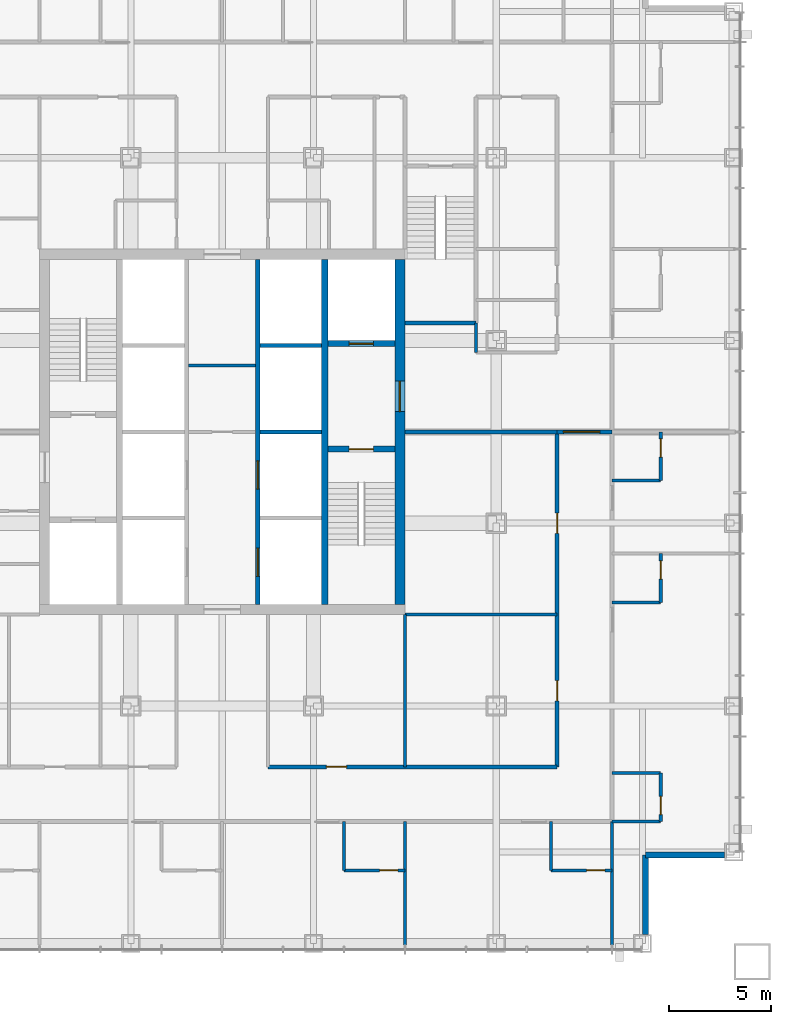
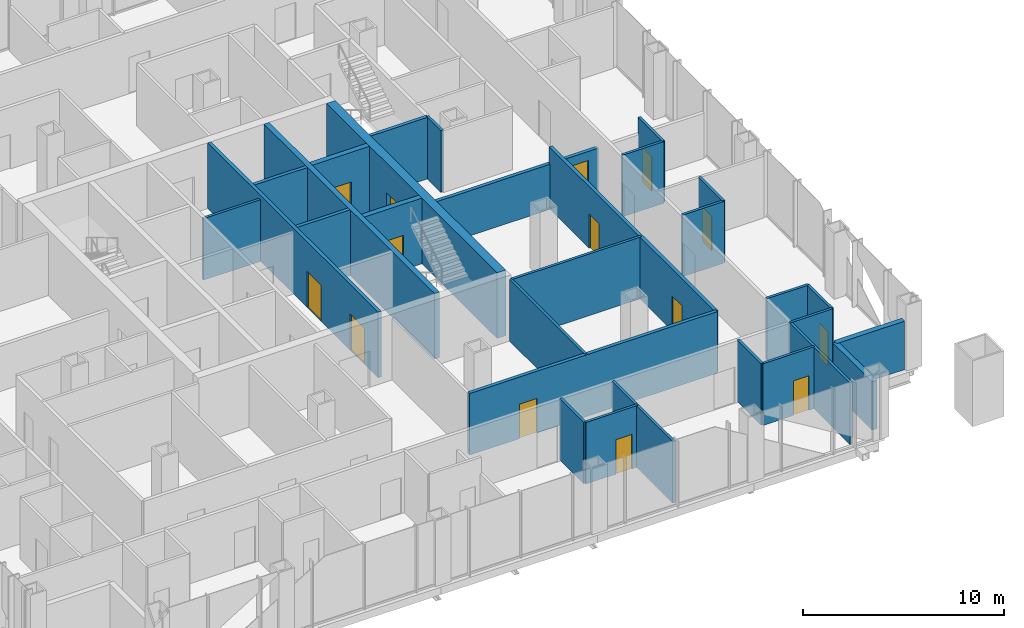
# One storey, part 9 of 13: 31 walls, 14 doors, 14 openings.
"""IFC4 building model written with IfcOpenShell, lengths in metres."""

from ifc_helpers import new_model, si_unit, direction, frame, frame_2d, origin, place, context, subcontext, project, spatial, rectangle, extrude, material, layer, layer_set, type_object, element, fill, save


model = new_model("IFC4")

# Units and contexts
model_context = context("Model", 3, precision=1e-05, world=origin(), true_north=direction((0.0, 1.0)))
body_context = subcontext(model_context, "Body", "Model", "MODEL_VIEW")
ifc_project = project(units=[si_unit("LENGTHUNIT", "METRE"), si_unit("AREAUNIT", "SQUARE_METRE"), si_unit("VOLUMEUNIT", "CUBIC_METRE"), si_unit("PLANEANGLEUNIT", "RADIAN"), si_unit("MASSUNIT", "GRAM", prefix="KILO")], contexts=[model_context])

# Site, building, storey
site_placement = place(None, origin())
site = spatial("IfcSite", under=ifc_project, at=site_placement, CompositionType="ELEMENT")
building_placement = place(site_placement, origin())
building = spatial("IfcBuilding", under=site, at=building_placement, Name="Malebo Sky Hospital", CompositionType="ELEMENT")
storey_placement = place(building_placement, frame((0.0, 0.0, 67.0)))
storey = spatial("IfcBuildingStorey", under=building, at=storey_placement, Name="L15", CompositionType="ELEMENT", Elevation=67.0)

# Wall, openings, doors
ifc_material_1 = material(Name="Concrete C80/95", Category="concrete")
ifc_layer_1 = layer(ifc_material_1, 0.199951171875)
ifc_layer_set_1 = layer_set([ifc_layer_1], Name="CORE INNER WALL 200")
wall_type_1 = type_object("IfcWallType", Name="CORE INNER WALL 200", PredefinedType="SHEAR", material=ifc_layer_set_1)
wall_1_placement = place(storey_placement, frame((61.75, 53.5, 0.0), z_axis=(0.0, 0.0, 1.0), x_axis=(0.0, 1.0, 0.0)))
wall_1 = element("IfcWall", 1, at=wall_1_placement, inside=storey, type_object=wall_type_1, Name="Core wall LE L15", PredefinedType="SHEAR", context=body_context, shape_type="SweptSolid", body=[
    extrude(rectangle(XDim=17.0, YDim=0.199951171875, at=frame_2d((8.5, 0.0))), origin(), (0.0, 0.0, 1.0), 4.0),
])
opening_1_placement = place(wall_1_placement, frame((1.375, 0.0, 0.0)))
opening_1 = element("IfcOpeningElement", 2, at=opening_1_placement, cuts=wall_1, Name="Opening LD1", PredefinedType="OPENING", context=body_context, shape_type="SweptSolid", body=[
    extrude(rectangle(XDim=1.39990234375, YDim=2.199951171875, at=frame_2d((0.699951171875, 1.10009765625))), frame((0.0, 0.10986328125, 0.0), z_axis=(0.0, -1.0, 0.0), x_axis=(1.0, 0.0, 0.0)), (0.0, 0.0, 1.0), 0.219970703125),
])
opening_2_placement = place(wall_1_placement, frame((5.675048828125, 0.0, 0.0)))
opening_2 = element("IfcOpeningElement", 3, at=opening_2_placement, cuts=wall_1, Name="Opening LD1", PredefinedType="OPENING", context=body_context, shape_type="SweptSolid", body=[
    extrude(rectangle(XDim=1.39990234375, YDim=2.199951171875, at=frame_2d((0.699951171875, 1.10009765625))), frame((0.0, 0.10986328125, 0.0), z_axis=(0.0, -1.0, 0.0), x_axis=(1.0, 0.0, 0.0)), (0.0, 0.0, 1.0), 0.219970703125),
])
ifc_material_2 = material(Name="Stainless steel sliding landing door", Category="steel")
door_type_1 = type_object("IfcDoorType", Name="LIFT LANDING DOOR 1400", OperationType="SLIDING_TO_LEFT", PredefinedType="DOOR", material=ifc_material_2)
door_1_placement = place(opening_1_placement, origin())
door_1 = element("IfcDoor", 4, at=door_1_placement, inside=storey, type_object=door_type_1, Name="Lift E1 landing door", OperationType="SLIDING_TO_LEFT", OverallHeight=2.199951171875, OverallWidth=1.39990234375, PredefinedType="DOOR", context=body_context, shape_type="SweptSolid", body=[
    extrude(rectangle(XDim=1.39990234375, YDim=2.199951171875, at=frame_2d((0.699951171875, 1.10009765625))), frame((0.0, 0.02490234375, 0.0), z_axis=(0.0, -1.0, 0.0), x_axis=(1.0, 0.0, 0.0)), (0.0, 0.0, 1.0), 0.050048828125),
])
fill(opening_1, door_1)
door_2_placement = place(opening_2_placement, origin())
door_2 = element("IfcDoor", 5, at=door_2_placement, inside=storey, type_object=door_type_1, Name="Lift E2 landing door", OperationType="SLIDING_TO_LEFT", OverallHeight=2.199951171875, OverallWidth=1.39990234375, PredefinedType="DOOR", context=body_context, shape_type="SweptSolid", body=[
    extrude(rectangle(XDim=1.39990234375, YDim=2.199951171875, at=frame_2d((0.699951171875, 1.10009765625))), frame((0.0, 0.02490234375, 0.0), z_axis=(0.0, -1.0, 0.0), x_axis=(1.0, 0.0, 0.0)), (0.0, 0.0, 1.0), 0.050048828125),
])
fill(opening_2, door_2)

# Walls
for number, where, z_axis, x_axis, name in (
    (6, (61.85009765625, 62.0, 0.0), (0.0, 0.0, 1.0), (1.0, 0.0, 0.0), "Core wall SE1 L15"),
    (7, (61.85009765625, 66.25, 0.0), (0.0, 0.0, 1.0), (1.0, 0.0, 0.0), "Core wall SE2 L15"),
):
    element("IfcWall", number, at=place(storey_placement, frame(where, z_axis=z_axis, x_axis=x_axis)), inside=storey, type_object=wall_type_1, Name=name, PredefinedType="SHEAR", context=body_context, shape_type="SweptSolid", body=[
        extrude(rectangle(XDim=3.0498046875, YDim=0.199951171875, at=frame_2d((1.52490234375, 0.0))), origin(), (0.0, 0.0, 1.0), 4.0),
    ])
ifc_layer_2 = layer(ifc_material_1, 0.300048828125)
ifc_layer_set_2 = layer_set([ifc_layer_2], Name="CORE INNER WALL 300")
wall_type_2 = type_object("IfcWallType", Name="CORE INNER WALL 300", PredefinedType="SHEAR", material=ifc_layer_set_2)
wall_2_placement = place(storey_placement, frame((65.050048828125, 53.5, 0.0), z_axis=(0.0, 0.0, 1.0), x_axis=(0.0, 1.0, 0.0)))
element("IfcWall", 8, at=wall_2_placement, inside=storey, type_object=wall_type_2, Name="Core wall XE L15", PredefinedType="SHEAR", context=body_context, shape_type="SweptSolid", body=[
    extrude(rectangle(XDim=17.0, YDim=0.300048828125, at=frame_2d((8.5, 0.0))), origin(), (0.0, 0.0, 1.0), 4.0),
])

# Wall, opening, door
wall_3_placement = place(storey_placement, frame((65.199951171875, 61.14990234375, 0.0), z_axis=(0.0, 0.0, 1.0), x_axis=(1.0, 0.0, 0.0)))
wall_3 = element("IfcWall", 9, at=wall_3_placement, inside=storey, type_object=wall_type_2, Name="Core wall E1 L15", PredefinedType="SHEAR", context=body_context, shape_type="SweptSolid", body=[
    extrude(rectangle(XDim=3.300048828125, YDim=0.300048828125, at=frame_2d((1.64990234375, 0.0))), origin(), (0.0, 0.0, 1.0), 4.0),
])
opening_3_placement = place(wall_3_placement, frame((1.050048828125, 0.0, 0.0)))
opening_3 = element("IfcOpeningElement", 10, at=opening_3_placement, cuts=wall_3, Name="Opening D08", PredefinedType="OPENING", context=body_context, shape_type="SweptSolid", body=[
    extrude(rectangle(XDim=1.199951171875, YDim=2.10009765625, at=frame_2d((0.60009765625, 1.050048828125))), frame((0.0, 0.159912109375, 0.0), z_axis=(0.0, -1.0, 0.0), x_axis=(1.0, 0.0, 0.0)), (0.0, 0.0, 1.0), 0.320068359375),
])
ifc_material_3 = material(Name="Hardwood-faced door leaf in steel frame", Category="steel")
door_type_2 = type_object("IfcDoorType", Name="STAIR DOOR 1200", OperationType="SINGLE_SWING_LEFT", PredefinedType="DOOR", material=ifc_material_3)
door_3_placement = place(opening_3_placement, origin())
door_3 = element("IfcDoor", 11, at=door_3_placement, inside=storey, type_object=door_type_2, Name="Stair S2 door", OperationType="SINGLE_SWING_LEFT", OverallHeight=2.10009765625, OverallWidth=1.199951171875, PredefinedType="DOOR", context=body_context, shape_type="SweptSolid", body=[
    extrude(rectangle(XDim=1.199951171875, YDim=2.10009765625, at=frame_2d((0.60009765625, 1.050048828125))), frame((0.0, 0.02490234375, 0.0), z_axis=(0.0, -1.0, 0.0), x_axis=(1.0, 0.0, 0.0)), (0.0, 0.0, 1.0), 0.050048828125),
])
fill(opening_3, door_3)

wall_4_placement = place(storey_placement, frame((65.199951171875, 66.35009765625, 0.0), z_axis=(0.0, 0.0, 1.0), x_axis=(1.0, 0.0, 0.0)))
wall_4 = element("IfcWall", 12, at=wall_4_placement, inside=storey, type_object=wall_type_2, Name="Core wall E2 L15", PredefinedType="SHEAR", context=body_context, shape_type="SweptSolid", body=[
    extrude(rectangle(XDim=3.300048828125, YDim=0.300048828125, at=frame_2d((1.64990234375, 0.0))), origin(), (0.0, 0.0, 1.0), 4.0),
])
opening_4_placement = place(wall_4_placement, frame((1.050048828125, 0.0, 0.0)))
opening_4 = element("IfcOpeningElement", 13, at=opening_4_placement, cuts=wall_4, Name="Opening LD2", PredefinedType="OPENING", context=body_context, shape_type="SweptSolid", body=[
    extrude(rectangle(XDim=1.199951171875, YDim=2.199951171875, at=frame_2d((0.60009765625, 1.10009765625))), frame((0.0, 0.159912109375, 0.0), z_axis=(0.0, -1.0, 0.0), x_axis=(1.0, 0.0, 0.0)), (0.0, 0.0, 1.0), 0.320068359375),
])
door_type_3 = type_object("IfcDoorType", Name="FIRE-FIGHTING LIFT LANDING DOOR 1200", OperationType="SLIDING_TO_LEFT", PredefinedType="DOOR", material=ifc_material_2)
door_4_placement = place(opening_4_placement, origin())
door_4 = element("IfcDoor", 14, at=door_4_placement, inside=storey, type_object=door_type_3, Name="Lift FL2 landing door", OperationType="SLIDING_TO_LEFT", OverallHeight=2.199951171875, OverallWidth=1.199951171875, PredefinedType="DOOR", context=body_context, shape_type="SweptSolid", body=[
    extrude(rectangle(XDim=1.199951171875, YDim=2.199951171875, at=frame_2d((0.60009765625, 1.10009765625))), frame((0.0, 0.02490234375, 0.0), z_axis=(0.0, -1.0, 0.0), x_axis=(1.0, 0.0, 0.0)), (0.0, 0.0, 1.0), 0.050048828125),
])
fill(opening_4, door_4)

ifc_layer_3 = layer(ifc_material_1, 0.5)
ifc_layer_set_3 = layer_set([ifc_layer_3], Name="CORE WALL 500")
wall_type_3 = type_object("IfcWallType", Name="CORE WALL 500", PredefinedType="SHEAR", material=ifc_layer_set_3)
wall_5_placement = place(storey_placement, frame((68.75, 53.5, 0.0), z_axis=(0.0, 0.0, 1.0), x_axis=(0.0, 1.0, 0.0)))
wall_5 = element("IfcWall", 15, at=wall_5_placement, inside=storey, type_object=wall_type_3, Name="Core wall E L15", PredefinedType="SHEAR", context=body_context, shape_type="SweptSolid", body=[
    extrude(rectangle(XDim=17.0, YDim=0.5, at=frame_2d((8.5, 0.0))), origin(), (0.0, 0.0, 1.0), 4.0),
])
opening_5_placement = place(wall_5_placement, frame((9.5, 0.0, 0.0)))
opening_5 = element("IfcOpeningElement", 16, at=opening_5_placement, cuts=wall_5, Name="Opening D07", PredefinedType="OPENING", context=body_context, shape_type="SweptSolid", body=[
    extrude(rectangle(XDim=1.5, YDim=2.199951171875, at=frame_2d((0.75, 1.10009765625))), frame((0.0, 0.260009765625, 0.0), z_axis=(0.0, -1.0, 0.0), x_axis=(1.0, 0.0, 0.0)), (0.0, 0.0, 1.0), 0.52001953125),
])
door_type_4 = type_object("IfcDoorType", Name="FIRE-FIGHTING LOBBY DOOR PAIR 1500", OperationType="DOUBLE_DOOR_SINGLE_SWING", PredefinedType="DOOR", material=ifc_material_3)
door_5_placement = place(opening_5_placement, origin())
door_5 = element("IfcDoor", 17, at=door_5_placement, inside=storey, type_object=door_type_4, Name="Fire-fighting lobby door east", OperationType="DOUBLE_DOOR_SINGLE_SWING", OverallHeight=2.199951171875, OverallWidth=1.5, PredefinedType="DOOR", context=body_context, shape_type="SweptSolid", body=[
    extrude(rectangle(XDim=1.5, YDim=2.199951171875, at=frame_2d((0.75, 1.10009765625))), frame((0.0, 0.02490234375, 0.0), z_axis=(0.0, -1.0, 0.0), x_axis=(1.0, 0.0, 0.0)), (0.0, 0.0, 1.0), 0.050048828125),
])
fill(opening_5, door_5)

ifc_material_4 = material(Name="Gypsum board on steel studs", Category="steel")
ifc_layer_4 = layer(ifc_material_4, 0.199951171875)
ifc_layer_set_4 = layer_set([ifc_layer_4], Name="CORRIDOR WALL 200")
wall_type_4 = type_object("IfcWallType", Name="CORRIDOR WALL 200", PredefinedType="PARTITIONING", material=ifc_layer_set_4)
wall_6_placement = place(storey_placement, frame((76.5, 45.5, 0.0), z_axis=(0.0, 0.0, 1.0), x_axis=(-1.0, 0.0, 0.0)))
wall_6 = element("IfcWall", 18, at=wall_6_placement, inside=storey, type_object=wall_type_4, Name="Corridor Wall 200 SCI1", PredefinedType="PARTITIONING", context=body_context, shape_type="SweptSolid", body=[
    extrude(rectangle(XDim=14.25, YDim=0.199951171875, at=frame_2d((7.125, 0.0))), origin(), (0.0, 0.0, 1.0), 3.75),
])
opening_6_placement = place(wall_6_placement, frame((10.375, 0.0, 0.0)))
opening_6 = element("IfcOpeningElement", 19, at=opening_6_placement, cuts=wall_6, Name="Opening D03", PredefinedType="OPENING", context=body_context, shape_type="SweptSolid", body=[
    extrude(rectangle(XDim=1.0, YDim=2.10009765625, at=frame_2d((0.5, 1.050048828125))), frame((0.0, 0.10986328125, 0.0), z_axis=(0.0, -1.0, 0.0), x_axis=(1.0, 0.0, 0.0)), (0.0, 0.0, 1.0), 0.219970703125),
])
door_type_5 = type_object("IfcDoorType", Name="ROOM DOOR 1000", OperationType="SINGLE_SWING_LEFT", PredefinedType="DOOR", material=ifc_material_3)
door_6_placement = place(opening_6_placement, origin())
door_6 = element("IfcDoor", 20, at=door_6_placement, inside=storey, type_object=door_type_5, Name="Treatment room door", OperationType="SINGLE_SWING_LEFT", OverallHeight=2.10009765625, OverallWidth=1.0, PredefinedType="DOOR", context=body_context, shape_type="SweptSolid", body=[
    extrude(rectangle(XDim=1.0, YDim=2.10009765625, at=frame_2d((0.5, 1.050048828125))), frame((0.0, 0.02490234375, 0.0), z_axis=(0.0, -1.0, 0.0), x_axis=(1.0, 0.0, 0.0)), (0.0, 0.0, 1.0), 0.050048828125),
])
fill(opening_6, door_6)

# Wall, openings, doors
wall_7_placement = place(storey_placement, frame((76.5, 62.0, 0.0), z_axis=(0.0, 0.0, 1.0), x_axis=(0.0, -1.0, 0.0)))
wall_7 = element("IfcWall", 21, at=wall_7_placement, inside=storey, type_object=wall_type_4, Name="Corridor Wall 200 ECI2", PredefinedType="PARTITIONING", context=body_context, shape_type="SweptSolid", body=[
    extrude(rectangle(XDim=16.5, YDim=0.199951171875, at=frame_2d((8.25, 0.0))), origin(), (0.0, 0.0, 1.0), 3.75),
])
opening_7_placement = place(wall_7_placement, frame((4.0, 0.0, 0.0)))
opening_7 = element("IfcOpeningElement", 22, at=opening_7_placement, cuts=wall_7, Name="Opening D03", PredefinedType="OPENING", context=body_context, shape_type="SweptSolid", body=[
    extrude(rectangle(XDim=1.0, YDim=2.10009765625, at=frame_2d((0.5, 1.050048828125))), frame((0.0, 0.10986328125, 0.0), z_axis=(0.0, -1.0, 0.0), x_axis=(1.0, 0.0, 0.0)), (0.0, 0.0, 1.0), 0.219970703125),
])
opening_8_placement = place(wall_7_placement, frame((12.25, 0.0, 0.0)))
opening_8 = element("IfcOpeningElement", 23, at=opening_8_placement, cuts=wall_7, Name="Opening D03", PredefinedType="OPENING", context=body_context, shape_type="SweptSolid", body=[
    extrude(rectangle(XDim=1.0, YDim=2.10009765625, at=frame_2d((0.5, 1.050048828125))), frame((0.0, 0.10986328125, 0.0), z_axis=(0.0, -1.0, 0.0), x_axis=(1.0, 0.0, 0.0)), (0.0, 0.0, 1.0), 0.219970703125),
])
door_7_placement = place(opening_7_placement, origin())
door_7 = element("IfcDoor", 24, at=door_7_placement, inside=storey, type_object=door_type_5, Name="Nurse station door", OperationType="SINGLE_SWING_LEFT", OverallHeight=2.10009765625, OverallWidth=1.0, PredefinedType="DOOR", context=body_context, shape_type="SweptSolid", body=[
    extrude(rectangle(XDim=1.0, YDim=2.10009765625, at=frame_2d((0.5, 1.050048828125))), frame((0.0, 0.02490234375, 0.0), z_axis=(0.0, -1.0, 0.0), x_axis=(1.0, 0.0, 0.0)), (0.0, 0.0, 1.0), 0.050048828125),
])
fill(opening_7, door_7)
door_8_placement = place(opening_8_placement, origin())
door_8 = element("IfcDoor", 25, at=door_8_placement, inside=storey, type_object=door_type_5, Name="Staff rest room door", OperationType="SINGLE_SWING_RIGHT", OverallHeight=2.10009765625, OverallWidth=1.0, PredefinedType="DOOR", context=body_context, shape_type="SweptSolid", body=[
    extrude(rectangle(XDim=1.0, YDim=2.10009765625, at=frame_2d((0.5, 1.050048828125))), frame((0.0, 0.02490234375, 0.0), z_axis=(0.0, -1.0, 0.0), x_axis=(1.0, 0.0, 0.0)), (0.0, 0.0, 1.0), 0.050048828125),
])
fill(opening_8, door_8)

# Walls
ifc_material_5 = material(Name="Anodised aluminium rainscreen on steel framing", Category="steel")
ifc_layer_5 = layer(ifc_material_5, 0.300048828125)
ifc_layer_set_5 = layer_set([ifc_layer_5], Name="NOTCH RAINSCREEN WALL 300")
wall_type_5 = type_object("IfcWallType", Name="NOTCH RAINSCREEN WALL 300", PredefinedType="ELEMENTEDWALL", material=ifc_layer_set_5)
for number, where, z_axis, x_axis, name in (
    (26, (84.75, 41.14990234375, 0.0), (0.0, 0.0, 1.0), (-1.0, 0.0, 0.0), "Notch rainscreen wall E1 L15"),
    (27, (80.85009765625, 41.14990234375, 0.0), (0.0, 0.0, 1.0), (0.0, -1.0, 0.0), "Notch rainscreen wall E2 L15"),
):
    element("IfcWall", number, at=place(storey_placement, frame(where, z_axis=z_axis, x_axis=x_axis)), inside=storey, type_object=wall_type_5, Name=name, PredefinedType="ELEMENTEDWALL", context=body_context, shape_type="SweptSolid", body=[
        extrude(rectangle(XDim=3.89990234375, YDim=0.300048828125, at=frame_2d((1.949951171875, 0.0))), origin(), (0.0, 0.0, 1.0), 2.949951171875),
    ])
ifc_layer_6 = layer(ifc_material_4, 0.14990234375)
ifc_layer_set_6 = layer_set([ifc_layer_6], Name="PARTITION 150")
wall_type_6 = type_object("IfcWallType", Name="PARTITION 150", PredefinedType="PARTITIONING", material=ifc_layer_set_6)
for number, where, z_axis, x_axis, name in (
    (28, (69.0, 42.800048828125, 0.0), (0.0, 0.0, 1.0), (0.0, -1.0, 0.0), "Partition 150 SP-9.0"),
    (29, (79.199951171875, 42.800048828125, 0.0), (0.0, 0.0, 1.0), (0.0, -1.0, 0.0), "Partition 150 SP0"),
):
    element("IfcWall", number, at=place(storey_placement, frame(where, z_axis=z_axis, x_axis=x_axis)), inside=storey, type_object=wall_type_6, Name=name, PredefinedType="PARTITIONING", context=body_context, shape_type="SweptSolid", body=[
        extrude(rectangle(XDim=6.074951171875, YDim=0.14990234375, at=frame_2d((3.03759765625, 0.0))), origin(), (0.0, 0.0, 1.0), 3.75),
    ])

# Wall, opening, door
wall_8_placement = place(storey_placement, frame((79.199951171875, 40.39990234375, 0.0), z_axis=(0.0, 0.0, 1.0), x_axis=(-1.0, 0.0, 0.0)))
wall_8 = element("IfcWall", 30, at=wall_8_placement, inside=storey, type_object=wall_type_6, Name="Partition 150 SE0F", PredefinedType="PARTITIONING", context=body_context, shape_type="SweptSolid", body=[
    extrude(rectangle(XDim=3.0, YDim=0.14990234375, at=frame_2d((1.5, 0.0))), origin(), (0.0, 0.0, 1.0), 3.75),
])
opening_9_placement = place(wall_8_placement, frame((0.35009765625, 0.0, 0.0)))
opening_9 = element("IfcOpeningElement", 31, at=opening_9_placement, cuts=wall_8, Name="Opening D02", PredefinedType="OPENING", context=body_context, shape_type="SweptSolid", body=[
    extrude(rectangle(XDim=0.89990234375, YDim=2.10009765625, at=frame_2d((0.449951171875, 1.050048828125))), frame((0.0, 0.0849609375, 0.0), z_axis=(0.0, -1.0, 0.0), x_axis=(1.0, 0.0, 0.0)), (0.0, 0.0, 1.0), 0.169921875),
])
door_type_6 = type_object("IfcDoorType", Name="EN-SUITE DOOR 900", OperationType="SINGLE_SWING_LEFT", PredefinedType="DOOR", material=ifc_material_3)
door_9_placement = place(opening_9_placement, origin())
door_9 = element("IfcDoor", 32, at=door_9_placement, inside=storey, type_object=door_type_6, Name="En-suite door", OperationType="SINGLE_SWING_LEFT", OverallHeight=2.10009765625, OverallWidth=0.89990234375, PredefinedType="DOOR", context=body_context, shape_type="SweptSolid", body=[
    extrude(rectangle(XDim=0.89990234375, YDim=2.10009765625, at=frame_2d((0.449951171875, 1.050048828125))), frame((0.0, 0.02490234375, 0.0), z_axis=(0.0, -1.0, 0.0), x_axis=(1.0, 0.0, 0.0)), (0.0, 0.0, 1.0), 0.050048828125),
])
fill(opening_9, door_9)

# Wall
wall_9_placement = place(storey_placement, frame((76.199951171875, 42.800048828125, 0.0), z_axis=(0.0, 0.0, 1.0), x_axis=(0.0, -1.0, 0.0)))
element("IfcWall", 33, at=wall_9_placement, inside=storey, type_object=wall_type_6, Name="Partition 150 SE0S", PredefinedType="PARTITIONING", context=body_context, shape_type="SweptSolid", body=[
    extrude(rectangle(XDim=2.400146484375, YDim=0.14990234375, at=frame_2d((1.2001953125, 0.0))), origin(), (0.0, 0.0, 1.0), 3.75),
])

# Wall, opening, door
wall_10_placement = place(storey_placement, frame((69.0, 40.39990234375, 0.0), z_axis=(0.0, 0.0, 1.0), x_axis=(-1.0, 0.0, 0.0)))
wall_10 = element("IfcWall", 34, at=wall_10_placement, inside=storey, type_object=wall_type_6, Name="Partition 150 SE1F", PredefinedType="PARTITIONING", context=body_context, shape_type="SweptSolid", body=[
    extrude(rectangle(XDim=3.0, YDim=0.14990234375, at=frame_2d((1.5, 0.0))), origin(), (0.0, 0.0, 1.0), 3.75),
])
opening_10_placement = place(wall_10_placement, frame((0.35009765625, 0.0, 0.0)))
opening_10 = element("IfcOpeningElement", 35, at=opening_10_placement, cuts=wall_10, Name="Opening D02", PredefinedType="OPENING", context=body_context, shape_type="SweptSolid", body=[
    extrude(rectangle(XDim=0.89990234375, YDim=2.10009765625, at=frame_2d((0.449951171875, 1.050048828125))), frame((0.0, 0.0849609375, 0.0), z_axis=(0.0, -1.0, 0.0), x_axis=(1.0, 0.0, 0.0)), (0.0, 0.0, 1.0), 0.169921875),
])
door_10_placement = place(opening_10_placement, origin())
door_10 = element("IfcDoor", 36, at=door_10_placement, inside=storey, type_object=door_type_6, Name="En-suite door", OperationType="SINGLE_SWING_LEFT", OverallHeight=2.10009765625, OverallWidth=0.89990234375, PredefinedType="DOOR", context=body_context, shape_type="SweptSolid", body=[
    extrude(rectangle(XDim=0.89990234375, YDim=2.10009765625, at=frame_2d((0.449951171875, 1.050048828125))), frame((0.0, 0.02490234375, 0.0), z_axis=(0.0, -1.0, 0.0), x_axis=(1.0, 0.0, 0.0)), (0.0, 0.0, 1.0), 0.050048828125),
])
fill(opening_10, door_10)

# Walls
wall_11_placement = place(storey_placement, frame((66.0, 42.800048828125, 0.0), z_axis=(0.0, 0.0, 1.0), x_axis=(0.0, -1.0, 0.0)))
element("IfcWall", 37, at=wall_11_placement, inside=storey, type_object=wall_type_6, Name="Partition 150 SE1S", PredefinedType="PARTITIONING", context=body_context, shape_type="SweptSolid", body=[
    extrude(rectangle(XDim=2.400146484375, YDim=0.14990234375, at=frame_2d((1.2001953125, 0.0))), origin(), (0.0, 0.0, 1.0), 3.75),
])
wall_12_placement = place(storey_placement, frame((69.0, 53.0, 0.0), z_axis=(0.0, 0.0, 1.0), x_axis=(0.0, -1.0, 0.0)))
element("IfcWall", 38, at=wall_12_placement, inside=storey, type_object=wall_type_6, Name="Partition 150 SSP0", PredefinedType="PARTITIONING", context=body_context, shape_type="SweptSolid", body=[
    extrude(rectangle(XDim=7.5, YDim=0.14990234375, at=frame_2d((3.75, 0.0))), origin(), (0.0, 0.0, 1.0), 3.75),
])

# Wall, opening, door
wall_13_placement = place(storey_placement, frame((81.60009765625, 62.0, 0.0), z_axis=(0.0, 0.0, 1.0), x_axis=(0.0, -1.0, 0.0)))
wall_13 = element("IfcWall", 39, at=wall_13_placement, inside=storey, type_object=wall_type_6, Name="Partition 150 EE2F", PredefinedType="PARTITIONING", context=body_context, shape_type="SweptSolid", body=[
    extrude(rectangle(XDim=2.39990234375, YDim=0.14990234375, at=frame_2d((1.199951171875, 0.0))), origin(), (0.0, 0.0, 1.0), 3.75),
])
opening_11_placement = place(wall_13_placement, frame((0.35009765625, 0.0, 0.0)))
opening_11 = element("IfcOpeningElement", 40, at=opening_11_placement, cuts=wall_13, Name="Opening D02", PredefinedType="OPENING", context=body_context, shape_type="SweptSolid", body=[
    extrude(rectangle(XDim=0.89990234375, YDim=2.10009765625, at=frame_2d((0.449951171875, 1.050048828125))), frame((0.0, 0.0849609375, 0.0), z_axis=(0.0, -1.0, 0.0), x_axis=(1.0, 0.0, 0.0)), (0.0, 0.0, 1.0), 0.169921875),
])
door_11_placement = place(opening_11_placement, origin())
door_11 = element("IfcDoor", 41, at=door_11_placement, inside=storey, type_object=door_type_6, Name="En-suite door", OperationType="SINGLE_SWING_LEFT", OverallHeight=2.10009765625, OverallWidth=0.89990234375, PredefinedType="DOOR", context=body_context, shape_type="SweptSolid", body=[
    extrude(rectangle(XDim=0.89990234375, YDim=2.10009765625, at=frame_2d((0.449951171875, 1.050048828125))), frame((0.0, 0.02490234375, 0.0), z_axis=(0.0, -1.0, 0.0), x_axis=(1.0, 0.0, 0.0)), (0.0, 0.0, 1.0), 0.050048828125),
])
fill(opening_11, door_11)

# Wall
wall_14_placement = place(storey_placement, frame((79.199951171875, 59.60009765625, 0.0), z_axis=(0.0, 0.0, 1.0), x_axis=(1.0, 0.0, 0.0)))
element("IfcWall", 42, at=wall_14_placement, inside=storey, type_object=wall_type_6, Name="Partition 150 EE2S", PredefinedType="PARTITIONING", context=body_context, shape_type="SweptSolid", body=[
    extrude(rectangle(XDim=2.400146484375, YDim=0.14990234375, at=frame_2d((1.2001953125, 0.0))), origin(), (0.0, 0.0, 1.0), 3.75),
])

# Wall, opening, door
wall_15_placement = place(storey_placement, frame((81.60009765625, 56.0, 0.0), z_axis=(0.0, 0.0, 1.0), x_axis=(0.0, -1.0, 0.0)))
wall_15 = element("IfcWall", 43, at=wall_15_placement, inside=storey, type_object=wall_type_6, Name="Partition 150 EE3F", PredefinedType="PARTITIONING", context=body_context, shape_type="SweptSolid", body=[
    extrude(rectangle(XDim=2.39990234375, YDim=0.14990234375, at=frame_2d((1.199951171875, 0.0))), origin(), (0.0, 0.0, 1.0), 3.75),
])
opening_12_placement = place(wall_15_placement, frame((0.35009765625, 0.0, 0.0)))
opening_12 = element("IfcOpeningElement", 44, at=opening_12_placement, cuts=wall_15, Name="Opening D02", PredefinedType="OPENING", context=body_context, shape_type="SweptSolid", body=[
    extrude(rectangle(XDim=0.89990234375, YDim=2.10009765625, at=frame_2d((0.449951171875, 1.050048828125))), frame((0.0, 0.0849609375, 0.0), z_axis=(0.0, -1.0, 0.0), x_axis=(1.0, 0.0, 0.0)), (0.0, 0.0, 1.0), 0.169921875),
])
door_12_placement = place(opening_12_placement, origin())
door_12 = element("IfcDoor", 45, at=door_12_placement, inside=storey, type_object=door_type_6, Name="En-suite door", OperationType="SINGLE_SWING_LEFT", OverallHeight=2.10009765625, OverallWidth=0.89990234375, PredefinedType="DOOR", context=body_context, shape_type="SweptSolid", body=[
    extrude(rectangle(XDim=0.89990234375, YDim=2.10009765625, at=frame_2d((0.449951171875, 1.050048828125))), frame((0.0, 0.02490234375, 0.0), z_axis=(0.0, -1.0, 0.0), x_axis=(1.0, 0.0, 0.0)), (0.0, 0.0, 1.0), 0.050048828125),
])
fill(opening_12, door_12)

# Wall
wall_16_placement = place(storey_placement, frame((79.199951171875, 53.60009765625, 0.0), z_axis=(0.0, 0.0, 1.0), x_axis=(1.0, 0.0, 0.0)))
element("IfcWall", 46, at=wall_16_placement, inside=storey, type_object=wall_type_6, Name="Partition 150 EE3S", PredefinedType="PARTITIONING", context=body_context, shape_type="SweptSolid", body=[
    extrude(rectangle(XDim=2.400146484375, YDim=0.14990234375, at=frame_2d((1.2001953125, 0.0))), origin(), (0.0, 0.0, 1.0), 3.75),
])

# Wall, opening, door
wall_17_placement = place(storey_placement, frame((81.60009765625, 45.199951171875, 0.0), z_axis=(0.0, 0.0, 1.0), x_axis=(0.0, -1.0, 0.0)))
wall_17 = element("IfcWall", 47, at=wall_17_placement, inside=storey, type_object=wall_type_6, Name="Partition 150 EG3F", PredefinedType="PARTITIONING", context=body_context, shape_type="SweptSolid", body=[
    extrude(rectangle(XDim=2.39990234375, YDim=0.14990234375, at=frame_2d((1.199951171875, 0.0))), origin(), (0.0, 0.0, 1.0), 3.75),
])
opening_13_placement = place(wall_17_placement, frame((1.14990234375, 0.0, 0.0)))
opening_13 = element("IfcOpeningElement", 48, at=opening_13_placement, cuts=wall_17, Name="Opening D02", PredefinedType="OPENING", context=body_context, shape_type="SweptSolid", body=[
    extrude(rectangle(XDim=0.89990234375, YDim=2.10009765625, at=frame_2d((0.449951171875, 1.050048828125))), frame((0.0, 0.0849609375, 0.0), z_axis=(0.0, -1.0, 0.0), x_axis=(1.0, 0.0, 0.0)), (0.0, 0.0, 1.0), 0.169921875),
])
door_13_placement = place(opening_13_placement, origin())
door_13 = element("IfcDoor", 49, at=door_13_placement, inside=storey, type_object=door_type_6, Name="En-suite door", OperationType="SINGLE_SWING_RIGHT", OverallHeight=2.10009765625, OverallWidth=0.89990234375, PredefinedType="DOOR", context=body_context, shape_type="SweptSolid", body=[
    extrude(rectangle(XDim=0.89990234375, YDim=2.10009765625, at=frame_2d((0.449951171875, 1.050048828125))), frame((0.0, 0.02490234375, 0.0), z_axis=(0.0, -1.0, 0.0), x_axis=(1.0, 0.0, 0.0)), (0.0, 0.0, 1.0), 0.050048828125),
])
fill(opening_13, door_13)

# Walls
for number, where, z_axis, x_axis, name in (
    (50, (79.199951171875, 45.199951171875, 0.0), (0.0, 0.0, 1.0), (1.0, 0.0, 0.0), "Partition 150 EG3S"),
    (51, (79.199951171875, 42.800048828125, 0.0), (0.0, 0.0, 1.0), (1.0, 0.0, 0.0), "Partition 150 EEZ"),
):
    element("IfcWall", number, at=place(storey_placement, frame(where, z_axis=z_axis, x_axis=x_axis)), inside=storey, type_object=wall_type_6, Name=name, PredefinedType="PARTITIONING", context=body_context, shape_type="SweptSolid", body=[
        extrude(rectangle(XDim=2.400146484375, YDim=0.14990234375, at=frame_2d((1.2001953125, 0.0))), origin(), (0.0, 0.0, 1.0), 3.75),
    ])
wall_18_placement = place(storey_placement, frame((69.0, 53.0, 0.0), z_axis=(0.0, 0.0, 1.0), x_axis=(1.0, 0.0, 0.0)))
element("IfcWall", 52, at=wall_18_placement, inside=storey, type_object=wall_type_6, Name="Partition 150 ESP+9.0", PredefinedType="PARTITIONING", context=body_context, shape_type="SweptSolid", body=[
    extrude(rectangle(XDim=7.5, YDim=0.14990234375, at=frame_2d((3.75, 0.0))), origin(), (0.0, 0.0, 1.0), 3.75),
])
wall_19_placement = place(storey_placement, frame((58.35009765625, 65.276611328125, 0.0), z_axis=(0.0, 0.0, 1.0), x_axis=(1.0, 0.0, 0.0)))
element("IfcWall", 53, at=wall_19_placement, inside=storey, type_object=wall_type_6, Name="Partition 150 LBN1", PredefinedType="PARTITIONING", context=body_context, shape_type="SweptSolid", body=[
    extrude(rectangle(XDim=3.2998046875, YDim=0.14990234375, at=frame_2d((1.64990234375, 0.0))), origin(), (0.0, 0.0, 1.0), 3.75),
])
wall_20_placement = place(storey_placement, frame((72.5, 65.89990234375, 0.0), z_axis=(0.0, 0.0, 1.0), x_axis=(0.0, 1.0, 0.0)))
element("IfcWall", 54, at=wall_20_placement, inside=storey, type_object=wall_type_6, Name="Partition 150 ST3C", PredefinedType="PARTITIONING", context=body_context, shape_type="SweptSolid", body=[
    extrude(rectangle(XDim=1.4501953125, YDim=0.14990234375, at=frame_2d((0.72509765625, 0.0))), origin(), (0.0, 0.0, 1.0), 3.75),
])
ifc_material_6 = material(Name="Concrete blockwork", Category="masonry")
ifc_layer_7 = layer(ifc_material_6, 0.199951171875)
ifc_layer_set_7 = layer_set([ifc_layer_7], Name="SMOKE BARRIER WALL 200")
wall_type_7 = type_object("IfcWallType", Name="SMOKE BARRIER WALL 200", PredefinedType="SOLIDWALL", material=ifc_layer_set_7)
wall_21_placement = place(storey_placement, frame((69.0, 62.0, 0.0), z_axis=(0.0, 0.0, 1.0), x_axis=(1.0, 0.0, 0.0)))
element("IfcWall", 55, at=wall_21_placement, inside=storey, type_object=wall_type_7, Name="Smoke Barrier Wall 200 ESPB", PredefinedType="SOLIDWALL", context=body_context, shape_type="SweptSolid", body=[
    extrude(rectangle(XDim=7.5, YDim=0.199951171875, at=frame_2d((3.75, 0.0))), origin(), (0.0, 0.0, 1.0), 2.75),
])

# Wall, opening, door
wall_22_placement = place(storey_placement, frame((76.5, 62.0, 0.0), z_axis=(0.0, 0.0, 1.0), x_axis=(1.0, 0.0, 0.0)))
wall_22 = element("IfcWall", 56, at=wall_22_placement, inside=storey, type_object=wall_type_7, Name="Smoke Barrier Wall 200 ESB", PredefinedType="SOLIDWALL", context=body_context, shape_type="SweptSolid", body=[
    extrude(rectangle(XDim=2.699951171875, YDim=0.199951171875, at=frame_2d((1.35009765625, 0.0))), origin(), (0.0, 0.0, 1.0), 2.75),
])
opening_14_placement = place(wall_22_placement, frame((0.300048828125, 0.0, 0.0)))
opening_14 = element("IfcOpeningElement", 57, at=opening_14_placement, cuts=wall_22, Name="Opening D05", PredefinedType="OPENING", context=body_context, shape_type="SweptSolid", body=[
    extrude(rectangle(XDim=1.800048828125, YDim=2.199951171875, at=frame_2d((0.89990234375, 1.10009765625))), frame((0.0, 0.10986328125, 0.0), z_axis=(0.0, -1.0, 0.0), x_axis=(1.0, 0.0, 0.0)), (0.0, 0.0, 1.0), 0.219970703125),
])
door_type_7 = type_object("IfcDoorType", Name="SMOKE DOOR PAIR 1800", OperationType="DOUBLE_DOOR_DOUBLE_SWING", PredefinedType="DOOR", material=ifc_material_3)
door_14_placement = place(opening_14_placement, origin())
door_14 = element("IfcDoor", 58, at=door_14_placement, inside=storey, type_object=door_type_7, Name="Smoke compartment door pair", OperationType="DOUBLE_DOOR_DOUBLE_SWING", OverallHeight=2.199951171875, OverallWidth=1.800048828125, PredefinedType="DOOR", context=body_context, shape_type="SweptSolid", body=[
    extrude(rectangle(XDim=1.800048828125, YDim=2.199951171875, at=frame_2d((0.89990234375, 1.10009765625))), frame((0.0, 0.02490234375, 0.0), z_axis=(0.0, -1.0, 0.0), x_axis=(1.0, 0.0, 0.0)), (0.0, 0.0, 1.0), 0.050048828125),
])
fill(opening_14, door_14)

# Wall
ifc_material_7 = material(Name="Concrete C40/50", Category="concrete")
ifc_layer_8 = layer(ifc_material_7, 0.199951171875)
ifc_layer_set_8 = layer_set([ifc_layer_8], Name="STAIR ENCLOSURE WALL 200")
wall_type_8 = type_object("IfcWallType", Name="STAIR ENCLOSURE WALL 200", PredefinedType="SOLIDWALL", material=ifc_layer_set_8)
wall_23_placement = place(storey_placement, frame((69.0, 67.35009765625, 0.0), z_axis=(0.0, 0.0, 1.0), x_axis=(1.0, 0.0, 0.0)))
element("IfcWall", 59, at=wall_23_placement, inside=storey, type_object=wall_type_8, Name="Stair Enclosure Wall 200 ST3S", PredefinedType="SOLIDWALL", context=body_context, shape_type="SweptSolid", body=[
    extrude(rectangle(XDim=3.5, YDim=0.199951171875, at=frame_2d((1.75, 0.0))), origin(), (0.0, 0.0, 1.0), 3.75),
])

save(model, "model.ifc")
